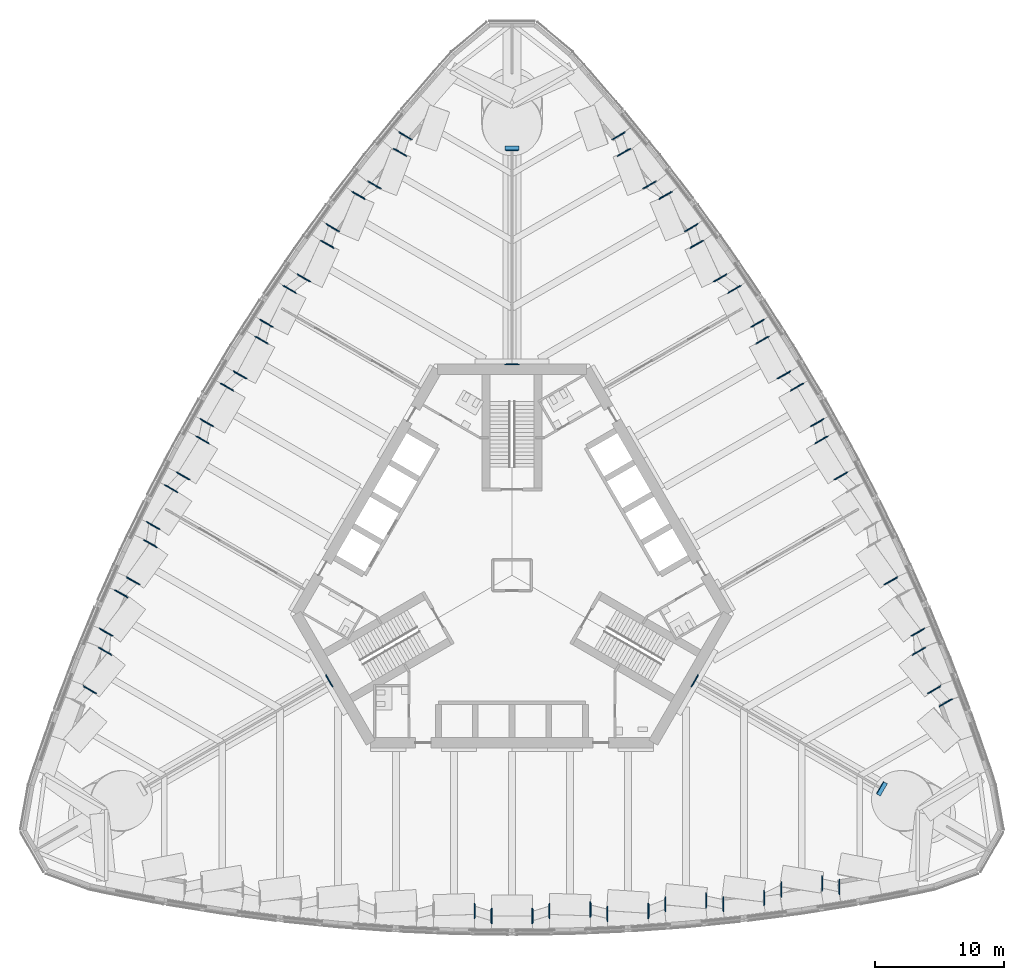
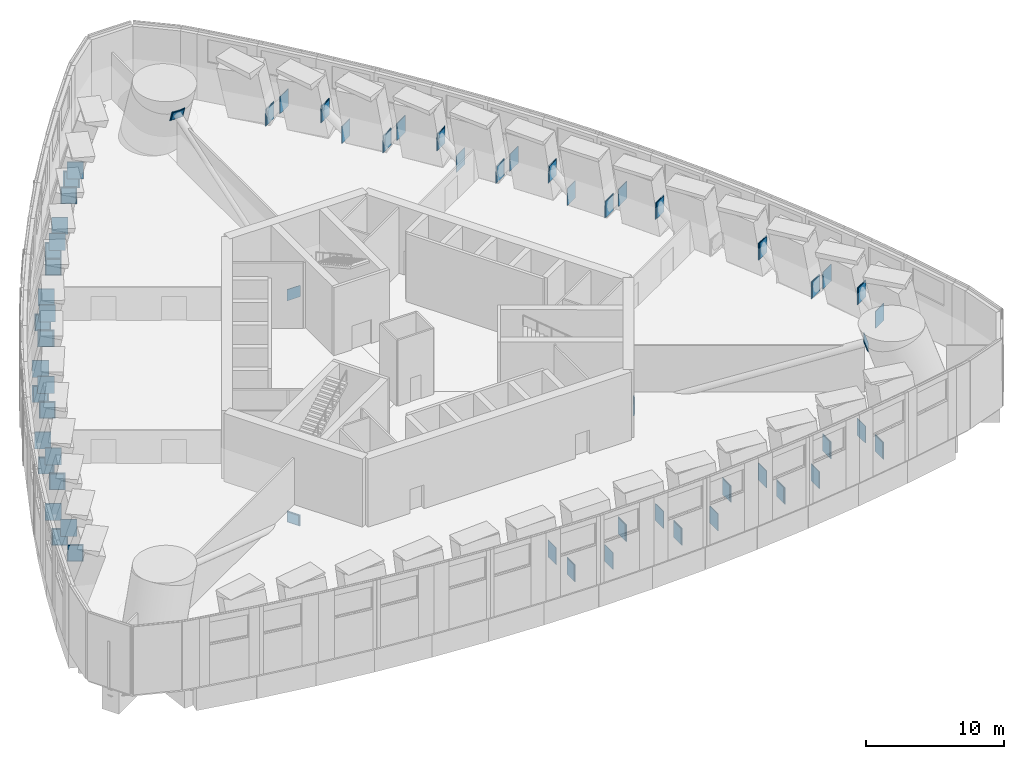
# One storey, part 12 of 28: 62 discrete accessories.
"""IFC4 building model written with IfcOpenShell, lengths in metres."""

from ifc_helpers import new_model, si_unit, direction, frame, origin, origin_2d, place, context, subcontext, project, spatial, rectangle, extrude, material, type_object, element, save


model = new_model("IFC4")

# Units and contexts
model_context = context("Model", 3, precision=1e-05, world=origin(), true_north=direction((0.0, 1.0)))
body_context = subcontext(model_context, "Body", "Model", "MODEL_VIEW")
ifc_project = project(units=[si_unit("LENGTHUNIT", "METRE"), si_unit("AREAUNIT", "SQUARE_METRE"), si_unit("VOLUMEUNIT", "CUBIC_METRE"), si_unit("PLANEANGLEUNIT", "RADIAN"), si_unit("MASSUNIT", "GRAM", prefix="KILO")], contexts=[model_context])

# Site, building, storey
site_placement = place(None, origin())
site = spatial("IfcSite", under=ifc_project, at=site_placement, CompositionType="ELEMENT")
building_placement = place(site_placement, origin())
building = spatial("IfcBuilding", under=site, at=building_placement, Name="Trefoil Bronze Tower", CompositionType="ELEMENT")
storey_placement = place(building_placement, frame((0.0, 0.0, 92.10009765625)))
storey = spatial("IfcBuildingStorey", under=building, at=storey_placement, Name="L21", CompositionType="ELEMENT", Elevation=92.10009765625)

# Discrete accessories
ifc_material = material(Name="Steel C355", Category="steel")
discrete_accessory_type = type_object("IfcDiscreteAccessoryType", Name="End plate and cast-in plate of a brace connection", PredefinedType="USERDEFINED", material=ifc_material)
for number, where, z_axis, x_axis, name in (
    (1, (-1.60009765625, -26.457763671875, 0.901123046875), (0.0, 0.0, 1.0), (-1.0, 0.0, 0.0), "Belt truss diagonal F1.6 L21 end plate and cast-in plate, lower end"),
    (2, (-2.89990234375, -26.058837890625, 2.648681640625), (0.0, 0.0, 1.0), (1.0, 0.0, 0.0), "Belt truss diagonal F1.6 L21 end plate and cast-in plate, upper end"),
    (3, (1.60009765625, -26.457763671875, 0.901123046875), (0.0, 0.0, 1.0), (1.0, 0.0, 0.0), "Belt truss diagonal F1.7 L21 end plate and cast-in plate, lower end"),
    (4, (2.89990234375, -26.058837890625, 2.648681640625), (0.0, 0.0, 1.0), (-1.0, 0.0, 0.0), "Belt truss diagonal F1.7 L21 end plate and cast-in plate, upper end"),
    (5, (7.39990234375, -26.28857421875, 0.901123046875), (0.0, 0.0, 1.0), (-1.0, 0.0, 0.0), "Belt truss diagonal F1.8 L21 end plate and cast-in plate, lower end"),
    (6, (6.10009765625, -25.965576171875, 2.648681640625), (0.0, 0.0, 1.0), (1.0, 0.0, 0.0), "Belt truss diagonal F1.8 L21 end plate and cast-in plate, upper end"),
    (7, (10.60009765625, -26.0556640625, 0.901123046875), (0.0, 0.0, 1.0), (1.0, 0.0, 0.0), "Belt truss diagonal F1.9 L21 end plate and cast-in plate, lower end"),
    (8, (11.89990234375, -25.54345703125, 2.648681640625), (0.0, 0.0, 1.0), (-1.0, 0.0, 0.0), "Belt truss diagonal F1.9 L21 end plate and cast-in plate, upper end"),
    (9, (16.39990234375, -25.5458984375, 0.901123046875), (0.0, 0.0, 1.0), (-1.0, 0.0, 0.0), "Belt truss diagonal F1.10 L21 end plate and cast-in plate, lower end"),
    (10, (15.10009765625, -25.26220703125, 2.648681640625), (0.0, 0.0, 1.0), (1.0, 0.0, 0.0), "Belt truss diagonal F1.10 L21 end plate and cast-in plate, upper end"),
    (11, (19.60009765625, -25.076416015625, 0.901123046875), (0.0, 0.0, 1.0), (1.0, 0.0, 0.0), "Belt truss diagonal F1.11 L21 end plate and cast-in plate, lower end"),
    (12, (20.89990234375, -24.411376953125, 2.648681640625), (0.0, 0.0, 1.0), (-1.0, 0.0, 0.0), "Belt truss diagonal F1.11 L21 end plate and cast-in plate, upper end"),
    (13, (25.39990234375, -24.22119140625, 0.901123046875), (0.0, 0.0, 1.0), (-1.0, 0.0, 0.0), "Belt truss diagonal F1.12 L21 end plate and cast-in plate, lower end"),
    (14, (24.10009765625, -23.939453125, 2.648681640625), (0.0, 0.0, 1.0), (1.0, 0.0, 0.0), "Belt truss diagonal F1.12 L21 end plate and cast-in plate, upper end"),
):
    element("IfcDiscreteAccessory", number, at=place(storey_placement, frame(where, z_axis=z_axis, x_axis=x_axis)), inside=storey, type_object=discrete_accessory_type, Name=name, ObjectType="END PLATE AND CAST-IN PLATE", PredefinedType="USERDEFINED", context=body_context, shape_type="SweptSolid", body=[
        extrude(rectangle(XDim=0.0400390625, YDim=1.031005859375, at=origin_2d()), frame((0.02001953125, 0.0, -0.699951171875)), (0.0, 0.0, 1.0), 1.39990234375),
        extrude(rectangle(XDim=0.050048828125, YDim=1.199951171875, at=origin_2d()), frame((-0.025146484375, 0.0, -0.75)), (0.0, 0.0, 1.0), 1.5),
    ])
discrete_accessory_1_placement = place(storey_placement, frame((33.676025390625, -9.886474609375, 0.901123046875), z_axis=(0.0, 0.0, 1.0), x_axis=(-0.499999999907, 0.866025403838, 0.0)))
element("IfcDiscreteAccessory", 15, at=discrete_accessory_1_placement, inside=storey, type_object=discrete_accessory_type, Name="Belt truss diagonal F2.1 L21 end plate and cast-in plate, lower end", ObjectType="END PLATE AND CAST-IN PLATE", PredefinedType="USERDEFINED", context=body_context, shape_type="SweptSolid", body=[
    extrude(rectangle(XDim=0.0400390625, YDim=1.031005859375, at=origin_2d()), frame((0.019775390625, -0.000244140625, -0.699951171875)), (0.0, 0.0, 1.0), 1.39990234375),
    extrude(rectangle(XDim=0.050048828125, YDim=1.199951171875, at=origin_2d()), frame((-0.025146484375, -0.000244140625, -0.75)), (0.0, 0.0, 1.0), 1.5),
])
discrete_accessory_2_placement = place(storey_placement, frame((32.7822265625, -8.901611328125, 2.648681640625), z_axis=(0.0, 0.0, 1.0), x_axis=(0.499999999907, -0.866025403838, 0.0)))
element("IfcDiscreteAccessory", 16, at=discrete_accessory_2_placement, inside=storey, type_object=discrete_accessory_type, Name="Belt truss diagonal F2.1 L21 end plate and cast-in plate, upper end", ObjectType="END PLATE AND CAST-IN PLATE", PredefinedType="USERDEFINED", context=body_context, shape_type="SweptSolid", body=[
    extrude(rectangle(XDim=0.0400390625, YDim=1.031005859375, at=origin_2d()), frame((0.02001953125, 0.0, -0.699951171875)), (0.0, 0.0, 1.0), 1.39990234375),
    extrude(rectangle(XDim=0.050048828125, YDim=1.199951171875, at=origin_2d()), frame((-0.025146484375, -0.000244140625, -0.75)), (0.0, 0.0, 1.0), 1.5),
])
discrete_accessory_3_placement = place(storey_placement, frame((31.516845703125, -4.435791015625, 0.901123046875), z_axis=(0.0, 0.0, 1.0), x_axis=(0.499999999907, -0.866025403838, 0.0)))
element("IfcDiscreteAccessory", 17, at=discrete_accessory_3_placement, inside=storey, type_object=discrete_accessory_type, Name="Belt truss diagonal F2.2 L21 end plate and cast-in plate, lower end", ObjectType="END PLATE AND CAST-IN PLATE", PredefinedType="USERDEFINED", context=body_context, shape_type="SweptSolid", body=[
    extrude(rectangle(XDim=0.0400390625, YDim=1.031005859375, at=origin_2d()), frame((0.02001953125, 0.0, -0.699951171875)), (0.0, 0.0, 1.0), 1.39990234375),
    extrude(rectangle(XDim=0.050048828125, YDim=1.199951171875, at=origin_2d()), frame((-0.02490234375, 0.0, -0.75)), (0.0, 0.0, 1.0), 1.5),
])
discrete_accessory_4_placement = place(storey_placement, frame((31.5908203125, -5.894287109375, 2.648681640625), z_axis=(0.0, 0.0, 1.0), x_axis=(-0.499999999907, 0.866025403838, 0.0)))
element("IfcDiscreteAccessory", 18, at=discrete_accessory_4_placement, inside=storey, type_object=discrete_accessory_type, Name="Belt truss diagonal F2.2 L21 end plate and cast-in plate, upper end", ObjectType="END PLATE AND CAST-IN PLATE", PredefinedType="USERDEFINED", context=body_context, shape_type="SweptSolid", body=[
    extrude(rectangle(XDim=0.0400390625, YDim=1.031005859375, at=origin_2d()), frame((0.02001953125, 0.0, -0.699951171875)), (0.0, 0.0, 1.0), 1.39990234375),
    extrude(rectangle(XDim=0.050048828125, YDim=1.199951171875, at=origin_2d()), frame((-0.025146484375, 0.0, -0.75)), (0.0, 0.0, 1.0), 1.5),
])
discrete_accessory_5_placement = place(storey_placement, frame((29.427734375, -0.44580078125, 2.648681640625), z_axis=(0.0, 0.0, 1.0), x_axis=(0.499999999907, -0.866025403838, 0.0)))
element("IfcDiscreteAccessory", 19, at=discrete_accessory_5_placement, inside=storey, type_object=discrete_accessory_type, Name="Belt truss diagonal F2.3 L21 end plate and cast-in plate, upper end", ObjectType="END PLATE AND CAST-IN PLATE", PredefinedType="USERDEFINED", context=body_context, shape_type="SweptSolid", body=[
    extrude(rectangle(XDim=0.0400390625, YDim=1.031005859375, at=origin_2d()), frame((0.02001953125, 0.0, -0.699951171875)), (0.0, 0.0, 1.0), 1.39990234375),
    extrude(rectangle(XDim=0.050048828125, YDim=1.199951171875, at=origin_2d()), frame((-0.02490234375, 0.0, -0.75)), (0.0, 0.0, 1.0), 1.5),
])
for number, where, z_axis, x_axis, name in (
    (20, (25.536865234375, 7.699951171875, 2.648681640625), (0.0, 0.0, 1.0), (0.499999999907, -0.866025403838, 0.0), "Belt truss diagonal F2.5 L21 end plate and cast-in plate, upper end"),
    (21, (23.713134765625, 11.84326171875, 0.901123046875), (0.0, 0.0, 1.0), (0.499999999907, -0.866025403838, 0.0), "Belt truss diagonal F2.6 L21 end plate and cast-in plate, lower end"),
    (22, (24.017822265625, 10.51806640625, 2.648681640625), (0.0, 0.0, 1.0), (-0.499999999907, 0.866025403838, 0.0), "Belt truss diagonal F2.6 L21 end plate and cast-in plate, upper end"),
):
    element("IfcDiscreteAccessory", number, at=place(storey_placement, frame(where, z_axis=z_axis, x_axis=x_axis)), inside=storey, type_object=discrete_accessory_type, Name=name, ObjectType="END PLATE AND CAST-IN PLATE", PredefinedType="USERDEFINED", context=body_context, shape_type="SweptSolid", body=[
        extrude(rectangle(XDim=0.0400390625, YDim=1.031005859375, at=origin_2d()), frame((0.02001953125, 0.0, -0.699951171875)), (0.0, 0.0, 1.0), 1.39990234375),
        extrude(rectangle(XDim=0.050048828125, YDim=1.199951171875, at=origin_2d()), frame((-0.025146484375, 0.0, -0.75)), (0.0, 0.0, 1.0), 1.5),
    ])
discrete_accessory_6_placement = place(storey_placement, frame((22.113037109375, 14.614501953125, 0.901123046875), z_axis=(0.0, 0.0, 1.0), x_axis=(-0.499999999907, 0.866025403838, 0.0)))
element("IfcDiscreteAccessory", 23, at=discrete_accessory_6_placement, inside=storey, type_object=discrete_accessory_type, Name="Belt truss diagonal F2.7 L21 end plate and cast-in plate, lower end", ObjectType="END PLATE AND CAST-IN PLATE", PredefinedType="USERDEFINED", context=body_context, shape_type="SweptSolid", body=[
    extrude(rectangle(XDim=0.0400390625, YDim=1.031005859375, at=origin_2d()), frame((0.02001953125, 0.0, -0.699951171875)), (0.0, 0.0, 1.0), 1.39990234375),
    extrude(rectangle(XDim=0.050048828125, YDim=1.199951171875, at=origin_2d()), frame((-0.025146484375, -0.000244140625, -0.75)), (0.0, 0.0, 1.0), 1.5),
])
discrete_accessory_7_placement = place(storey_placement, frame((21.11767578125, 15.541015625, 2.648681640625), z_axis=(0.0, 0.0, 1.0), x_axis=(0.499999999907, -0.866025403838, 0.0)))
element("IfcDiscreteAccessory", 24, at=discrete_accessory_7_placement, inside=storey, type_object=discrete_accessory_type, Name="Belt truss diagonal F2.7 L21 end plate and cast-in plate, upper end", ObjectType="END PLATE AND CAST-IN PLATE", PredefinedType="USERDEFINED", context=body_context, shape_type="SweptSolid", body=[
    extrude(rectangle(XDim=0.0400390625, YDim=1.031005859375, at=origin_2d()), frame((0.02001953125, 0.0, -0.699951171875)), (0.0, 0.0, 1.0), 1.39990234375),
    extrude(rectangle(XDim=0.050048828125, YDim=1.199951171875, at=origin_2d()), frame((-0.02490234375, 0.0, -0.75)), (0.0, 0.0, 1.0), 1.5),
])
for number, where, z_axis, x_axis, name in (
    (25, (19.06640625, 19.552734375, 0.901123046875), (0.0, 0.0, 1.0), (0.499999999907, -0.866025403838, 0.0), "Belt truss diagonal F2.8 L21 end plate and cast-in plate, lower end"),
    (26, (19.436767578125, 18.265625, 2.648681640625), (0.0, 0.0, 1.0), (-0.499999999907, 0.866025403838, 0.0), "Belt truss diagonal F2.8 L21 end plate and cast-in plate, upper end"),
    (27, (17.264892578125, 22.207763671875, 0.901123046875), (0.0, 0.0, 1.0), (-0.499999999907, 0.866025403838, 0.0), "Belt truss diagonal F2.9 L21 end plate and cast-in plate, lower end"),
):
    element("IfcDiscreteAccessory", number, at=place(storey_placement, frame(where, z_axis=z_axis, x_axis=x_axis)), inside=storey, type_object=discrete_accessory_type, Name=name, ObjectType="END PLATE AND CAST-IN PLATE", PredefinedType="USERDEFINED", context=body_context, shape_type="SweptSolid", body=[
        extrude(rectangle(XDim=0.0400390625, YDim=1.031005859375, at=origin_2d()), frame((0.02001953125, 0.0, -0.699951171875)), (0.0, 0.0, 1.0), 1.39990234375),
        extrude(rectangle(XDim=0.050048828125, YDim=1.199951171875, at=origin_2d()), frame((-0.025146484375, 0.0, -0.75)), (0.0, 0.0, 1.0), 1.5),
    ])
discrete_accessory_8_placement = place(storey_placement, frame((16.17138671875, 23.077392578125, 2.648681640625), z_axis=(0.0, 0.0, 1.0), x_axis=(0.499999999907, -0.866025403838, 0.0)))
element("IfcDiscreteAccessory", 28, at=discrete_accessory_8_placement, inside=storey, type_object=discrete_accessory_type, Name="Belt truss diagonal F2.9 L21 end plate and cast-in plate, upper end", ObjectType="END PLATE AND CAST-IN PLATE", PredefinedType="USERDEFINED", context=body_context, shape_type="SweptSolid", body=[
    extrude(rectangle(XDim=0.0400390625, YDim=1.031005859375, at=origin_2d()), frame((0.02001953125, 0.0, -0.699951171875)), (0.0, 0.0, 1.0), 1.39990234375),
    extrude(rectangle(XDim=0.050048828125, YDim=1.199951171875, at=origin_2d()), frame((-0.025146484375, -0.000244140625, -0.75)), (0.0, 0.0, 1.0), 1.5),
])
discrete_accessory_9_placement = place(storey_placement, frame((13.923583984375, 26.975830078125, 0.901123046875), z_axis=(0.0, 0.0, 1.0), x_axis=(0.499999999907, -0.866025403838, 0.0)))
element("IfcDiscreteAccessory", 29, at=discrete_accessory_9_placement, inside=storey, type_object=discrete_accessory_type, Name="Belt truss diagonal F2.10 L21 end plate and cast-in plate, lower end", ObjectType="END PLATE AND CAST-IN PLATE", PredefinedType="USERDEFINED", context=body_context, shape_type="SweptSolid", body=[
    extrude(rectangle(XDim=0.0400390625, YDim=1.031005859375, at=origin_2d()), frame((0.019775390625, -0.000244140625, -0.699951171875)), (0.0, 0.0, 1.0), 1.39990234375),
    extrude(rectangle(XDim=0.050048828125, YDim=1.199951171875, at=origin_2d()), frame((-0.025146484375, -0.000244140625, -0.75)), (0.0, 0.0, 1.0), 1.5),
])
discrete_accessory_10_placement = place(storey_placement, frame((14.327880859375, 25.7080078125, 2.648681640625), z_axis=(0.0, 0.0, 1.0), x_axis=(-0.499999999907, 0.866025403838, 0.0)))
element("IfcDiscreteAccessory", 30, at=discrete_accessory_10_placement, inside=storey, type_object=discrete_accessory_type, Name="Belt truss diagonal F2.10 L21 end plate and cast-in plate, upper end", ObjectType="END PLATE AND CAST-IN PLATE", PredefinedType="USERDEFINED", context=body_context, shape_type="SweptSolid", body=[
    extrude(rectangle(XDim=0.0400390625, YDim=1.031005859375, at=origin_2d()), frame((0.02001953125, 0.0, -0.699951171875)), (0.0, 0.0, 1.0), 1.39990234375),
    extrude(rectangle(XDim=0.050048828125, YDim=1.199951171875, at=origin_2d()), frame((-0.02490234375, 0.0, -0.75)), (0.0, 0.0, 1.0), 1.5),
])
discrete_accessory_11_placement = place(storey_placement, frame((11.916748046875, 29.512451171875, 0.901123046875), z_axis=(0.0, 0.0, 1.0), x_axis=(-0.499999999907, 0.866025403838, 0.0)))
element("IfcDiscreteAccessory", 31, at=discrete_accessory_11_placement, inside=storey, type_object=discrete_accessory_type, Name="Belt truss diagonal F2.11 L21 end plate and cast-in plate, lower end", ObjectType="END PLATE AND CAST-IN PLATE", PredefinedType="USERDEFINED", context=body_context, shape_type="SweptSolid", body=[
    extrude(rectangle(XDim=0.0400390625, YDim=1.031005859375, at=origin_2d()), frame((0.019775390625, 0.0, -0.699951171875)), (0.0, 0.0, 1.0), 1.39990234375),
    extrude(rectangle(XDim=0.050048828125, YDim=1.199951171875, at=origin_2d()), frame((-0.025146484375, -0.000244140625, -0.75)), (0.0, 0.0, 1.0), 1.5),
])
discrete_accessory_12_placement = place(storey_placement, frame((10.69091796875, 30.3056640625, 2.648681640625), z_axis=(0.0, 0.0, 1.0), x_axis=(0.499999999907, -0.866025403838, 0.0)))
element("IfcDiscreteAccessory", 32, at=discrete_accessory_12_placement, inside=storey, type_object=discrete_accessory_type, Name="Belt truss diagonal F2.11 L21 end plate and cast-in plate, upper end", ObjectType="END PLATE AND CAST-IN PLATE", PredefinedType="USERDEFINED", context=body_context, shape_type="SweptSolid", body=[
    extrude(rectangle(XDim=0.0400390625, YDim=1.031005859375, at=origin_2d()), frame((0.019775390625, -0.000244140625, -0.699951171875)), (0.0, 0.0, 1.0), 1.39990234375),
    extrude(rectangle(XDim=0.050048828125, YDim=1.199951171875, at=origin_2d()), frame((-0.02490234375, -0.000244140625, -0.75)), (0.0, 0.0, 1.0), 1.5),
])
discrete_accessory_13_placement = place(storey_placement, frame((8.276123046875, 34.107666015625, 0.901123046875), z_axis=(0.0, 0.0, 1.0), x_axis=(0.499999999907, -0.866025403838, 0.0)))
element("IfcDiscreteAccessory", 33, at=discrete_accessory_13_placement, inside=storey, type_object=discrete_accessory_type, Name="Belt truss diagonal F2.12 L21 end plate and cast-in plate, lower end", ObjectType="END PLATE AND CAST-IN PLATE", PredefinedType="USERDEFINED", context=body_context, shape_type="SweptSolid", body=[
    extrude(rectangle(XDim=0.0400390625, YDim=1.031005859375, at=origin_2d()), frame((0.02001953125, 0.0, -0.699951171875)), (0.0, 0.0, 1.0), 1.39990234375),
    extrude(rectangle(XDim=0.050048828125, YDim=1.199951171875, at=origin_2d()), frame((-0.025146484375, 0.0, -0.75)), (0.0, 0.0, 1.0), 1.5),
])
discrete_accessory_14_placement = place(storey_placement, frame((8.68212890625, 32.8408203125, 2.648681640625), z_axis=(0.0, 0.0, 1.0), x_axis=(-0.499999999907, 0.866025403838, 0.0)))
element("IfcDiscreteAccessory", 34, at=discrete_accessory_14_placement, inside=storey, type_object=discrete_accessory_type, Name="Belt truss diagonal F2.12 L21 end plate and cast-in plate, upper end", ObjectType="END PLATE AND CAST-IN PLATE", PredefinedType="USERDEFINED", context=body_context, shape_type="SweptSolid", body=[
    extrude(rectangle(XDim=0.0400390625, YDim=1.031005859375, at=origin_2d()), frame((0.02001953125, 0.0, -0.699951171875)), (0.0, 0.0, 1.0), 1.39990234375),
    extrude(rectangle(XDim=0.050048828125, YDim=1.199951171875, at=origin_2d()), frame((-0.02490234375, 0.0, -0.75)), (0.0, 0.0, 1.0), 1.5),
])
discrete_accessory_15_placement = place(storey_placement, frame((-8.276123046875, 34.107666015625, 0.901123046875), z_axis=(0.0, 0.0, 1.0), x_axis=(-0.499999999907, -0.866025403838, 0.0)))
element("IfcDiscreteAccessory", 35, at=discrete_accessory_15_placement, inside=storey, type_object=discrete_accessory_type, Name="Belt truss diagonal F3.1 L21 end plate and cast-in plate, lower end", ObjectType="END PLATE AND CAST-IN PLATE", PredefinedType="USERDEFINED", context=body_context, shape_type="SweptSolid", body=[
    extrude(rectangle(XDim=0.0400390625, YDim=1.031005859375, at=origin_2d()), frame((0.02001953125, 0.0, -0.699951171875)), (0.0, 0.0, 1.0), 1.39990234375),
    extrude(rectangle(XDim=0.050048828125, YDim=1.199951171875, at=origin_2d()), frame((-0.025146484375, 0.0, -0.75)), (0.0, 0.0, 1.0), 1.5),
])
discrete_accessory_16_placement = place(storey_placement, frame((-8.68212890625, 32.8408203125, 2.648681640625), z_axis=(0.0, 0.0, 1.0), x_axis=(0.499999999907, 0.866025403838, 0.0)))
element("IfcDiscreteAccessory", 36, at=discrete_accessory_16_placement, inside=storey, type_object=discrete_accessory_type, Name="Belt truss diagonal F3.1 L21 end plate and cast-in plate, upper end", ObjectType="END PLATE AND CAST-IN PLATE", PredefinedType="USERDEFINED", context=body_context, shape_type="SweptSolid", body=[
    extrude(rectangle(XDim=0.0400390625, YDim=1.031005859375, at=origin_2d()), frame((0.02001953125, 0.0, -0.699951171875)), (0.0, 0.0, 1.0), 1.39990234375),
    extrude(rectangle(XDim=0.050048828125, YDim=1.199951171875, at=origin_2d()), frame((-0.02490234375, 0.0, -0.75)), (0.0, 0.0, 1.0), 1.5),
])
discrete_accessory_17_placement = place(storey_placement, frame((-11.916748046875, 29.512451171875, 0.901123046875), z_axis=(0.0, 0.0, 1.0), x_axis=(0.499999999907, 0.866025403838, 0.0)))
element("IfcDiscreteAccessory", 37, at=discrete_accessory_17_placement, inside=storey, type_object=discrete_accessory_type, Name="Belt truss diagonal F3.2 L21 end plate and cast-in plate, lower end", ObjectType="END PLATE AND CAST-IN PLATE", PredefinedType="USERDEFINED", context=body_context, shape_type="SweptSolid", body=[
    extrude(rectangle(XDim=0.0400390625, YDim=1.031005859375, at=origin_2d()), frame((0.019775390625, 0.0, -0.699951171875)), (0.0, 0.0, 1.0), 1.39990234375),
    extrude(rectangle(XDim=0.050048828125, YDim=1.199951171875, at=origin_2d()), frame((-0.025146484375, 0.000244140625, -0.75)), (0.0, 0.0, 1.0), 1.5),
])
discrete_accessory_18_placement = place(storey_placement, frame((-10.69091796875, 30.3056640625, 2.648681640625), z_axis=(0.0, 0.0, 1.0), x_axis=(-0.499999999907, -0.866025403838, 0.0)))
element("IfcDiscreteAccessory", 38, at=discrete_accessory_18_placement, inside=storey, type_object=discrete_accessory_type, Name="Belt truss diagonal F3.2 L21 end plate and cast-in plate, upper end", ObjectType="END PLATE AND CAST-IN PLATE", PredefinedType="USERDEFINED", context=body_context, shape_type="SweptSolid", body=[
    extrude(rectangle(XDim=0.0400390625, YDim=1.031005859375, at=origin_2d()), frame((0.019775390625, 0.000244140625, -0.699951171875)), (0.0, 0.0, 1.0), 1.39990234375),
    extrude(rectangle(XDim=0.050048828125, YDim=1.199951171875, at=origin_2d()), frame((-0.02490234375, 0.000244140625, -0.75)), (0.0, 0.0, 1.0), 1.5),
])
discrete_accessory_19_placement = place(storey_placement, frame((-13.923583984375, 26.975830078125, 0.901123046875), z_axis=(0.0, 0.0, 1.0), x_axis=(-0.499999999907, -0.866025403838, 0.0)))
element("IfcDiscreteAccessory", 39, at=discrete_accessory_19_placement, inside=storey, type_object=discrete_accessory_type, Name="Belt truss diagonal F3.3 L21 end plate and cast-in plate, lower end", ObjectType="END PLATE AND CAST-IN PLATE", PredefinedType="USERDEFINED", context=body_context, shape_type="SweptSolid", body=[
    extrude(rectangle(XDim=0.0400390625, YDim=1.031005859375, at=origin_2d()), frame((0.019775390625, 0.000244140625, -0.699951171875)), (0.0, 0.0, 1.0), 1.39990234375),
    extrude(rectangle(XDim=0.050048828125, YDim=1.199951171875, at=origin_2d()), frame((-0.025146484375, 0.000244140625, -0.75)), (0.0, 0.0, 1.0), 1.5),
])
discrete_accessory_20_placement = place(storey_placement, frame((-14.327880859375, 25.7080078125, 2.648681640625), z_axis=(0.0, 0.0, 1.0), x_axis=(0.499999999907, 0.866025403838, 0.0)))
element("IfcDiscreteAccessory", 40, at=discrete_accessory_20_placement, inside=storey, type_object=discrete_accessory_type, Name="Belt truss diagonal F3.3 L21 end plate and cast-in plate, upper end", ObjectType="END PLATE AND CAST-IN PLATE", PredefinedType="USERDEFINED", context=body_context, shape_type="SweptSolid", body=[
    extrude(rectangle(XDim=0.0400390625, YDim=1.031005859375, at=origin_2d()), frame((0.02001953125, 0.0, -0.699951171875)), (0.0, 0.0, 1.0), 1.39990234375),
    extrude(rectangle(XDim=0.050048828125, YDim=1.199951171875, at=origin_2d()), frame((-0.02490234375, 0.0, -0.75)), (0.0, 0.0, 1.0), 1.5),
])
discrete_accessory_21_placement = place(storey_placement, frame((-17.264892578125, 22.207763671875, 0.901123046875), z_axis=(0.0, 0.0, 1.0), x_axis=(0.499999999907, 0.866025403838, 0.0)))
element("IfcDiscreteAccessory", 41, at=discrete_accessory_21_placement, inside=storey, type_object=discrete_accessory_type, Name="Belt truss diagonal F3.4 L21 end plate and cast-in plate, lower end", ObjectType="END PLATE AND CAST-IN PLATE", PredefinedType="USERDEFINED", context=body_context, shape_type="SweptSolid", body=[
    extrude(rectangle(XDim=0.0400390625, YDim=1.031005859375, at=origin_2d()), frame((0.02001953125, 0.0, -0.699951171875)), (0.0, 0.0, 1.0), 1.39990234375),
    extrude(rectangle(XDim=0.050048828125, YDim=1.199951171875, at=origin_2d()), frame((-0.025146484375, 0.0, -0.75)), (0.0, 0.0, 1.0), 1.5),
])
discrete_accessory_22_placement = place(storey_placement, frame((-16.17138671875, 23.077392578125, 2.648681640625), z_axis=(0.0, 0.0, 1.0), x_axis=(-0.499999999907, -0.866025403838, 0.0)))
element("IfcDiscreteAccessory", 42, at=discrete_accessory_22_placement, inside=storey, type_object=discrete_accessory_type, Name="Belt truss diagonal F3.4 L21 end plate and cast-in plate, upper end", ObjectType="END PLATE AND CAST-IN PLATE", PredefinedType="USERDEFINED", context=body_context, shape_type="SweptSolid", body=[
    extrude(rectangle(XDim=0.0400390625, YDim=1.031005859375, at=origin_2d()), frame((0.02001953125, 0.0, -0.699951171875)), (0.0, 0.0, 1.0), 1.39990234375),
    extrude(rectangle(XDim=0.050048828125, YDim=1.199951171875, at=origin_2d()), frame((-0.025146484375, 0.000244140625, -0.75)), (0.0, 0.0, 1.0), 1.5),
])
for number, where, z_axis, x_axis, name in (
    (43, (-19.06640625, 19.552734375, 0.901123046875), (0.0, 0.0, 1.0), (-0.499999999907, -0.866025403838, 0.0), "Belt truss diagonal F3.5 L21 end plate and cast-in plate, lower end"),
    (44, (-19.436767578125, 18.265625, 2.648681640625), (0.0, 0.0, 1.0), (0.499999999907, 0.866025403838, 0.0), "Belt truss diagonal F3.5 L21 end plate and cast-in plate, upper end"),
):
    element("IfcDiscreteAccessory", number, at=place(storey_placement, frame(where, z_axis=z_axis, x_axis=x_axis)), inside=storey, type_object=discrete_accessory_type, Name=name, ObjectType="END PLATE AND CAST-IN PLATE", PredefinedType="USERDEFINED", context=body_context, shape_type="SweptSolid", body=[
        extrude(rectangle(XDim=0.0400390625, YDim=1.031005859375, at=origin_2d()), frame((0.02001953125, 0.0, -0.699951171875)), (0.0, 0.0, 1.0), 1.39990234375),
        extrude(rectangle(XDim=0.050048828125, YDim=1.199951171875, at=origin_2d()), frame((-0.025146484375, 0.0, -0.75)), (0.0, 0.0, 1.0), 1.5),
    ])
discrete_accessory_23_placement = place(storey_placement, frame((-22.113037109375, 14.614501953125, 0.901123046875), z_axis=(0.0, 0.0, 1.0), x_axis=(0.499999999907, 0.866025403838, 0.0)))
element("IfcDiscreteAccessory", 45, at=discrete_accessory_23_placement, inside=storey, type_object=discrete_accessory_type, Name="Belt truss diagonal F3.6 L21 end plate and cast-in plate, lower end", ObjectType="END PLATE AND CAST-IN PLATE", PredefinedType="USERDEFINED", context=body_context, shape_type="SweptSolid", body=[
    extrude(rectangle(XDim=0.0400390625, YDim=1.031005859375, at=origin_2d()), frame((0.02001953125, 0.0, -0.699951171875)), (0.0, 0.0, 1.0), 1.39990234375),
    extrude(rectangle(XDim=0.050048828125, YDim=1.199951171875, at=origin_2d()), frame((-0.025146484375, 0.000244140625, -0.75)), (0.0, 0.0, 1.0), 1.5),
])
discrete_accessory_24_placement = place(storey_placement, frame((-21.11767578125, 15.541015625, 2.648681640625), z_axis=(0.0, 0.0, 1.0), x_axis=(-0.499999999907, -0.866025403838, 0.0)))
element("IfcDiscreteAccessory", 46, at=discrete_accessory_24_placement, inside=storey, type_object=discrete_accessory_type, Name="Belt truss diagonal F3.6 L21 end plate and cast-in plate, upper end", ObjectType="END PLATE AND CAST-IN PLATE", PredefinedType="USERDEFINED", context=body_context, shape_type="SweptSolid", body=[
    extrude(rectangle(XDim=0.0400390625, YDim=1.031005859375, at=origin_2d()), frame((0.02001953125, 0.0, -0.699951171875)), (0.0, 0.0, 1.0), 1.39990234375),
    extrude(rectangle(XDim=0.050048828125, YDim=1.199951171875, at=origin_2d()), frame((-0.02490234375, 0.0, -0.75)), (0.0, 0.0, 1.0), 1.5),
])
for number, where, z_axis, x_axis, name in (
    (47, (-23.713134765625, 11.84326171875, 0.901123046875), (0.0, 0.0, 1.0), (-0.499999999907, -0.866025403838, 0.0), "Belt truss diagonal F3.7 L21 end plate and cast-in plate, lower end"),
    (48, (-24.017822265625, 10.51806640625, 2.648681640625), (0.0, 0.0, 1.0), (0.499999999907, 0.866025403838, 0.0), "Belt truss diagonal F3.7 L21 end plate and cast-in plate, upper end"),
):
    element("IfcDiscreteAccessory", number, at=place(storey_placement, frame(where, z_axis=z_axis, x_axis=x_axis)), inside=storey, type_object=discrete_accessory_type, Name=name, ObjectType="END PLATE AND CAST-IN PLATE", PredefinedType="USERDEFINED", context=body_context, shape_type="SweptSolid", body=[
        extrude(rectangle(XDim=0.0400390625, YDim=1.031005859375, at=origin_2d()), frame((0.02001953125, 0.0, -0.699951171875)), (0.0, 0.0, 1.0), 1.39990234375),
        extrude(rectangle(XDim=0.050048828125, YDim=1.199951171875, at=origin_2d()), frame((-0.025146484375, 0.0, -0.75)), (0.0, 0.0, 1.0), 1.5),
    ])
discrete_accessory_25_placement = place(storey_placement, frame((-26.466552734375, 6.735595703125, 0.901123046875), z_axis=(0.0, 0.0, 1.0), x_axis=(0.499999999907, 0.866025403838, 0.0)))
element("IfcDiscreteAccessory", 49, at=discrete_accessory_25_placement, inside=storey, type_object=discrete_accessory_type, Name="Belt truss diagonal F3.8 L21 end plate and cast-in plate, lower end", ObjectType="END PLATE AND CAST-IN PLATE", PredefinedType="USERDEFINED", context=body_context, shape_type="SweptSolid", body=[
    extrude(rectangle(XDim=0.0400390625, YDim=1.031005859375, at=origin_2d()), frame((0.02001953125, 0.0, -0.699951171875)), (0.0, 0.0, 1.0), 1.39990234375),
    extrude(rectangle(XDim=0.050048828125, YDim=1.199951171875, at=origin_2d()), frame((-0.02490234375, 0.0, -0.75)), (0.0, 0.0, 1.0), 1.5),
])
for number, where, z_axis, x_axis, name in (
    (50, (-25.536865234375, 7.699951171875, 2.648681640625), (0.0, 0.0, 1.0), (-0.499999999907, -0.866025403838, 0.0), "Belt truss diagonal F3.8 L21 end plate and cast-in plate, upper end"),
    (51, (-27.86474609375, 3.847900390625, 0.901123046875), (0.0, 0.0, 1.0), (-0.499999999907, -0.866025403838, 0.0), "Belt truss diagonal F3.9 L21 end plate and cast-in plate, lower end"),
    (52, (-28.0712890625, 2.466064453125, 2.648681640625), (0.0, 0.0, 1.0), (0.499999999907, 0.866025403838, 0.0), "Belt truss diagonal F3.9 L21 end plate and cast-in plate, upper end"),
):
    element("IfcDiscreteAccessory", number, at=place(storey_placement, frame(where, z_axis=z_axis, x_axis=x_axis)), inside=storey, type_object=discrete_accessory_type, Name=name, ObjectType="END PLATE AND CAST-IN PLATE", PredefinedType="USERDEFINED", context=body_context, shape_type="SweptSolid", body=[
        extrude(rectangle(XDim=0.0400390625, YDim=1.031005859375, at=origin_2d()), frame((0.02001953125, 0.0, -0.699951171875)), (0.0, 0.0, 1.0), 1.39990234375),
        extrude(rectangle(XDim=0.050048828125, YDim=1.199951171875, at=origin_2d()), frame((-0.025146484375, 0.0, -0.75)), (0.0, 0.0, 1.0), 1.5),
    ])
for number, where, z_axis, x_axis, name in (
    (53, (-30.323486328125, -1.429931640625, 0.901123046875), (0.0, 0.0, 1.0), (0.499999999907, 0.866025403838, 0.0), "Belt truss diagonal F3.10 L21 end plate and cast-in plate, lower end"),
    (54, (-29.427734375, -0.44580078125, 2.648681640625), (0.0, 0.0, 1.0), (-0.499999999907, -0.866025403838, 0.0), "Belt truss diagonal F3.10 L21 end plate and cast-in plate, upper end"),
    (55, (-31.516845703125, -4.435791015625, 0.901123046875), (0.0, 0.0, 1.0), (-0.499999999907, -0.866025403838, 0.0), "Belt truss diagonal F3.11 L21 end plate and cast-in plate, lower end"),
):
    element("IfcDiscreteAccessory", number, at=place(storey_placement, frame(where, z_axis=z_axis, x_axis=x_axis)), inside=storey, type_object=discrete_accessory_type, Name=name, ObjectType="END PLATE AND CAST-IN PLATE", PredefinedType="USERDEFINED", context=body_context, shape_type="SweptSolid", body=[
        extrude(rectangle(XDim=0.0400390625, YDim=1.031005859375, at=origin_2d()), frame((0.02001953125, 0.0, -0.699951171875)), (0.0, 0.0, 1.0), 1.39990234375),
        extrude(rectangle(XDim=0.050048828125, YDim=1.199951171875, at=origin_2d()), frame((-0.02490234375, 0.0, -0.75)), (0.0, 0.0, 1.0), 1.5),
    ])
discrete_accessory_26_placement = place(storey_placement, frame((-31.5908203125, -5.894287109375, 2.648681640625), z_axis=(0.0, 0.0, 1.0), x_axis=(0.499999999907, 0.866025403838, 0.0)))
element("IfcDiscreteAccessory", 56, at=discrete_accessory_26_placement, inside=storey, type_object=discrete_accessory_type, Name="Belt truss diagonal F3.11 L21 end plate and cast-in plate, upper end", ObjectType="END PLATE AND CAST-IN PLATE", PredefinedType="USERDEFINED", context=body_context, shape_type="SweptSolid", body=[
    extrude(rectangle(XDim=0.0400390625, YDim=1.031005859375, at=origin_2d()), frame((0.02001953125, 0.0, -0.699951171875)), (0.0, 0.0, 1.0), 1.39990234375),
    extrude(rectangle(XDim=0.050048828125, YDim=1.199951171875, at=origin_2d()), frame((-0.025146484375, 0.0, -0.75)), (0.0, 0.0, 1.0), 1.5),
])
discrete_accessory_27_placement = place(storey_placement, frame((-32.7822265625, -8.901611328125, 2.648681640625), z_axis=(0.0, 0.0, 1.0), x_axis=(-0.499999999907, -0.866025403838, 0.0)))
element("IfcDiscreteAccessory", 57, at=discrete_accessory_27_placement, inside=storey, type_object=discrete_accessory_type, Name="Belt truss diagonal F3.12 L21 end plate and cast-in plate, upper end", ObjectType="END PLATE AND CAST-IN PLATE", PredefinedType="USERDEFINED", context=body_context, shape_type="SweptSolid", body=[
    extrude(rectangle(XDim=0.0400390625, YDim=1.031005859375, at=origin_2d()), frame((0.02001953125, 0.0, -0.699951171875)), (0.0, 0.0, 1.0), 1.39990234375),
    extrude(rectangle(XDim=0.050048828125, YDim=1.199951171875, at=origin_2d()), frame((-0.025146484375, 0.000244140625, -0.75)), (0.0, 0.0, 1.0), 1.5),
])
discrete_accessory_28_placement = place(storey_placement, frame((14.202880859375, -8.199951171875, -1.25), z_axis=(0.0, 0.0, 1.0), x_axis=(0.866025403838, -0.499999999907, 0.0)))
element("IfcDiscreteAccessory", 58, at=discrete_accessory_28_placement, inside=storey, type_object=discrete_accessory_type, Name="Outrigger brace K1 L21 end plate and cast-in plate, core end", ObjectType="END PLATE AND CAST-IN PLATE", PredefinedType="USERDEFINED", context=body_context, shape_type="SweptSolid", body=[
    extrude(rectangle(XDim=0.0400390625, YDim=0.929931640625, at=origin_2d()), frame((0.02001953125, 0.0, -0.425048828125)), (0.0, 0.0, 1.0), 0.85009765625),
    extrude(rectangle(XDim=0.050048828125, YDim=1.10009765625, at=origin_2d()), frame((-0.025146484375, 0.0, -0.5)), (0.0, 0.0, 1.0), 1.0),
])
discrete_accessory_29_placement = place(storey_placement, frame((28.694091796875, -16.56640625, 4.32763671875), z_axis=(-0.273861278995, 0.158113882997, 0.948683297982), x_axis=(-0.821583836145, 0.474341649084, -0.316227766221)))
element("IfcDiscreteAccessory", 59, at=discrete_accessory_29_placement, inside=storey, type_object=discrete_accessory_type, Name="Outrigger brace K1 L21 end plate and cast-in plate, mega column end", ObjectType="END PLATE AND CAST-IN PLATE", PredefinedType="USERDEFINED", context=body_context, shape_type="SweptSolid", body=[
    extrude(rectangle(XDim=0.0400390625, YDim=0.929931640625, at=origin_2d()), frame((0.019775390625, 0.000244140625, -0.425048828125)), (0.0, 0.0, 1.0), 0.85009765625),
    extrude(rectangle(XDim=0.050048828125, YDim=1.10009765625, at=origin_2d()), frame((-0.02490234375, 0.0, -0.5)), (0.0, 0.0, 1.0), 1.0),
])
for number, where, z_axis, x_axis, name in (
    (60, (0.0, 16.39990234375, -1.25), (0.0, 0.0, 1.0), (0.0, 1.0, 0.0), "Outrigger brace K2 L21 end plate and cast-in plate, core end"),
    (61, (0.0, 33.133056640625, 4.32763671875), (0.0, -0.316227766017, 0.948683298051), (0.0, -0.948683298051, -0.316227766017), "Outrigger brace K2 L21 end plate and cast-in plate, mega column end"),
):
    element("IfcDiscreteAccessory", number, at=place(storey_placement, frame(where, z_axis=z_axis, x_axis=x_axis)), inside=storey, type_object=discrete_accessory_type, Name=name, ObjectType="END PLATE AND CAST-IN PLATE", PredefinedType="USERDEFINED", context=body_context, shape_type="SweptSolid", body=[
        extrude(rectangle(XDim=0.0400390625, YDim=0.929931640625, at=origin_2d()), frame((0.02001953125, 0.0, -0.425048828125)), (0.0, 0.0, 1.0), 0.85009765625),
        extrude(rectangle(XDim=0.050048828125, YDim=1.10009765625, at=origin_2d()), frame((-0.02490234375, 0.0, -0.5)), (0.0, 0.0, 1.0), 1.0),
    ])
discrete_accessory_30_placement = place(storey_placement, frame((-14.202880859375, -8.199951171875, -1.25), z_axis=(0.0, 0.0, 1.0), x_axis=(-0.866025403838, -0.499999999907, 0.0)))
element("IfcDiscreteAccessory", 62, at=discrete_accessory_30_placement, inside=storey, type_object=discrete_accessory_type, Name="Outrigger brace K3 L21 end plate and cast-in plate, core end", ObjectType="END PLATE AND CAST-IN PLATE", PredefinedType="USERDEFINED", context=body_context, shape_type="SweptSolid", body=[
    extrude(rectangle(XDim=0.0400390625, YDim=0.929931640625, at=origin_2d()), frame((0.02001953125, 0.0, -0.425048828125)), (0.0, 0.0, 1.0), 0.85009765625),
    extrude(rectangle(XDim=0.050048828125, YDim=1.10009765625, at=origin_2d()), frame((-0.025146484375, 0.0, -0.5)), (0.0, 0.0, 1.0), 1.0),
])

save(model, "model.ifc")
